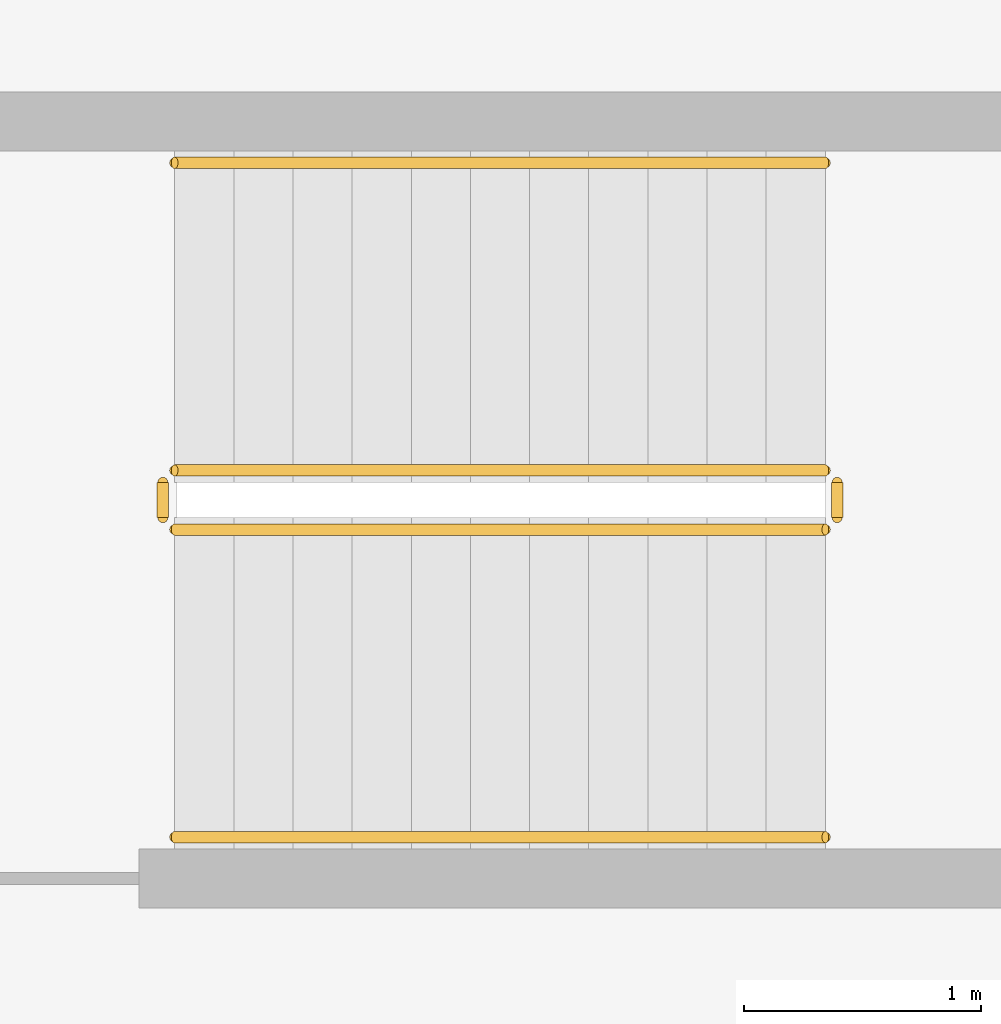
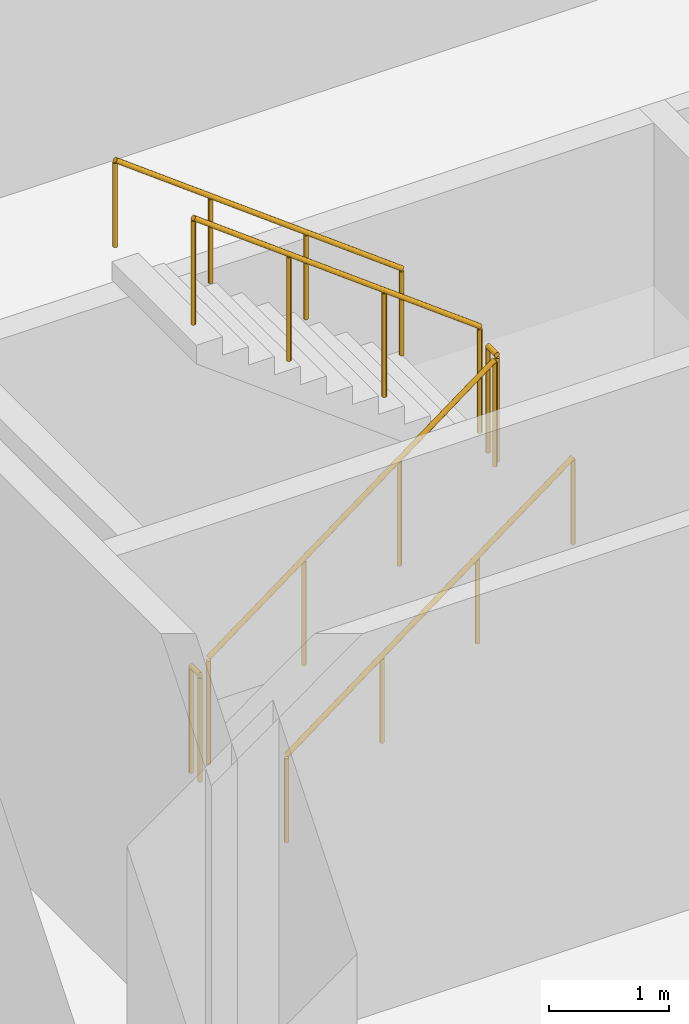
# One storey, part 11 of 12: 6 railings.
"""IFC4 building model written with IfcOpenShell, lengths in metres."""

from ifc_helpers import new_model, si_unit, direction, frame, origin, origin_2d, place, context, subcontext, project, spatial, circle, extrude, source, transform, mapped, material, type_object, element, save


model = new_model("IFC4")

# Units and contexts
model_context = context("Model", 3, precision=1e-05, world=origin(), true_north=direction((0.0, 1.0)))
body_context = subcontext(model_context, "Body", "Model", "MODEL_VIEW")
ifc_project = project(units=[si_unit("LENGTHUNIT", "METRE"), si_unit("AREAUNIT", "SQUARE_METRE"), si_unit("VOLUMEUNIT", "CUBIC_METRE"), si_unit("PLANEANGLEUNIT", "RADIAN"), si_unit("MASSUNIT", "GRAM", prefix="KILO")], contexts=[model_context])

# Site, building, storey
site_placement = place(None, origin())
site = spatial("IfcSite", under=ifc_project, at=site_placement, CompositionType="ELEMENT")
building_placement = place(site_placement, origin())
building = spatial("IfcBuilding", under=site, at=building_placement, Name="Aurelian Terraces", CompositionType="ELEMENT")
storey_placement = place(building_placement, frame((0.0, 0.0, -9.0)))
storey = spatial("IfcBuildingStorey", under=building, at=storey_placement, Name="B2", CompositionType="ELEMENT", Elevation=-9.0)

# Railings
ifc_material = material(Name="Stainless steel", Category="steel")
railing_type_1 = type_object("IfcRailingType", Name="Stair guard 1100", PredefinedType="GUARDRAIL", material=ifc_material)
shared_shape_1 = source(origin(), body_context, "Body", "SweptSolid", [
    extrude(circle(Radius=0.024, at=origin_2d()), frame((0.0, 0.0, 1.076), z_axis=(0.0, 1.0, 0.0), x_axis=(-1.0, 0.0, 0.0)), (0.0, 0.0, 1.0), 0.15),
    extrude(circle(Radius=0.021, at=origin_2d()), origin(), (0.0, 0.0, 1.0), 1.052),
    extrude(circle(Radius=0.021, at=origin_2d()), frame((0.0, 0.15, 0.0)), (0.0, 0.0, 1.0), 1.052),
])
for number, where, name in (
    (1, (4.9, 42.05, 2.25), "B2 S3 stair guard 2"),
    (2, (2.05, 42.05, 0.0), "B2 S3 stair guard 4"),
):
    element("IfcRailing", number, at=place(storey_placement, frame(where)), inside=storey, type_object=railing_type_1, Name=name, PredefinedType="GUARDRAIL", context=body_context, shape_type="MappedRepresentation", body=[
        mapped(shared_shape_1, transform((0.0, 0.0, 0.0), scale=1.0)),
    ])
shared_shape_2 = source(origin(), body_context, "Body", "SweptSolid", [
    extrude(circle(Radius=0.024, at=origin_2d()), frame((0.0, 0.0, 1.076), z_axis=(0.8, 0.0, 0.6), x_axis=(0.0, 1.0, 0.0)), (0.0, 0.0, 1.0), 3.4375),
    extrude(circle(Radius=0.021, at=origin_2d()), origin(), (0.0, 0.0, 1.0), 1.052),
    extrude(circle(Radius=0.021, at=origin_2d()), frame((0.9167, 0.0, 0.6875)), (0.0, 0.0, 1.0), 1.052),
    extrude(circle(Radius=0.021, at=origin_2d()), frame((1.8333, 0.0, 1.375)), (0.0, 0.0, 1.0), 1.052),
    extrude(circle(Radius=0.021, at=origin_2d()), frame((2.75, 0.0, 2.0625)), (0.0, 0.0, 1.0), 1.052),
])
railing_1_placement = place(storey_placement, frame((2.1, 42.0, 0.1875)))
element("IfcRailing", 3, at=railing_1_placement, inside=storey, type_object=railing_type_1, Name="B2 S3 stair guard 1", PredefinedType="GUARDRAIL", context=body_context, shape_type="MappedRepresentation", body=[
    mapped(shared_shape_2, transform((0.0, 0.0, 0.0), scale=1.0)),
])
shared_shape_3 = source(origin(), body_context, "Body", "SweptSolid", [
    extrude(circle(Radius=0.024, at=origin_2d()), frame((0.0, 0.0, 1.076), z_axis=(-0.8, 0.0, 0.6), x_axis=(0.0, -1.0, 0.0)), (0.0, 0.0, 1.0), 3.4375),
    extrude(circle(Radius=0.021, at=origin_2d()), origin(), (0.0, 0.0, 1.0), 1.052),
    extrude(circle(Radius=0.021, at=origin_2d()), frame((-0.9167, 0.0, 0.6875)), (0.0, 0.0, 1.0), 1.052),
    extrude(circle(Radius=0.021, at=origin_2d()), frame((-1.8333, 0.0, 1.375)), (0.0, 0.0, 1.0), 1.052),
    extrude(circle(Radius=0.021, at=origin_2d()), frame((-2.75, 0.0, 2.0625)), (0.0, 0.0, 1.0), 1.052),
])
railing_2_placement = place(storey_placement, frame((4.85, 42.25, 2.4375)))
element("IfcRailing", 4, at=railing_2_placement, inside=storey, type_object=railing_type_1, Name="B2 S3 stair guard 3", PredefinedType="GUARDRAIL", context=body_context, shape_type="MappedRepresentation", body=[
    mapped(shared_shape_3, transform((0.0, 0.0, 0.0), scale=1.0)),
])
railing_type_2 = type_object("IfcRailingType", Name="Stair handrail", PredefinedType="HANDRAIL", material=ifc_material)
shared_shape_4 = source(origin(), body_context, "Body", "SweptSolid", [
    extrude(circle(Radius=0.024, at=origin_2d()), frame((0.0, 0.0, 0.876), z_axis=(0.8, 0.0, 0.6), x_axis=(0.0, 1.0, 0.0)), (0.0, 0.0, 1.0), 3.4375),
    extrude(circle(Radius=0.021, at=origin_2d()), origin(), (0.0, 0.0, 1.0), 0.852),
    extrude(circle(Radius=0.021, at=origin_2d()), frame((0.9167, 0.0, 0.6875)), (0.0, 0.0, 1.0), 0.852),
    extrude(circle(Radius=0.021, at=origin_2d()), frame((1.8333, 0.0, 1.375)), (0.0, 0.0, 1.0), 0.852),
    extrude(circle(Radius=0.021, at=origin_2d()), frame((2.75, 0.0, 2.0625)), (0.0, 0.0, 1.0), 0.852),
])
railing_3_placement = place(storey_placement, frame((2.1, 40.7, 0.1875)))
element("IfcRailing", 5, at=railing_3_placement, inside=storey, type_object=railing_type_2, Name="B2 S3 stair handrail 1", PredefinedType="HANDRAIL", context=body_context, shape_type="MappedRepresentation", body=[
    mapped(shared_shape_4, transform((0.0, 0.0, 0.0), scale=1.0)),
])
shared_shape_5 = source(origin(), body_context, "Body", "SweptSolid", [
    extrude(circle(Radius=0.024, at=origin_2d()), frame((0.0, 0.0, 0.876), z_axis=(-0.8, 0.0, 0.6), x_axis=(0.0, -1.0, 0.0)), (0.0, 0.0, 1.0), 3.4375),
    extrude(circle(Radius=0.021, at=origin_2d()), origin(), (0.0, 0.0, 1.0), 0.852),
    extrude(circle(Radius=0.021, at=origin_2d()), frame((-0.9167, 0.0, 0.6875)), (0.0, 0.0, 1.0), 0.852),
    extrude(circle(Radius=0.021, at=origin_2d()), frame((-1.8333, 0.0, 1.375)), (0.0, 0.0, 1.0), 0.852),
    extrude(circle(Radius=0.021, at=origin_2d()), frame((-2.75, 0.0, 2.0625)), (0.0, 0.0, 1.0), 0.852),
])
railing_4_placement = place(storey_placement, frame((4.85, 43.55, 2.4375)))
element("IfcRailing", 6, at=railing_4_placement, inside=storey, type_object=railing_type_2, Name="B2 S3 stair handrail 2", PredefinedType="HANDRAIL", context=body_context, shape_type="MappedRepresentation", body=[
    mapped(shared_shape_5, transform((0.0, 0.0, 0.0), scale=1.0)),
])

save(model, "model.ifc")
